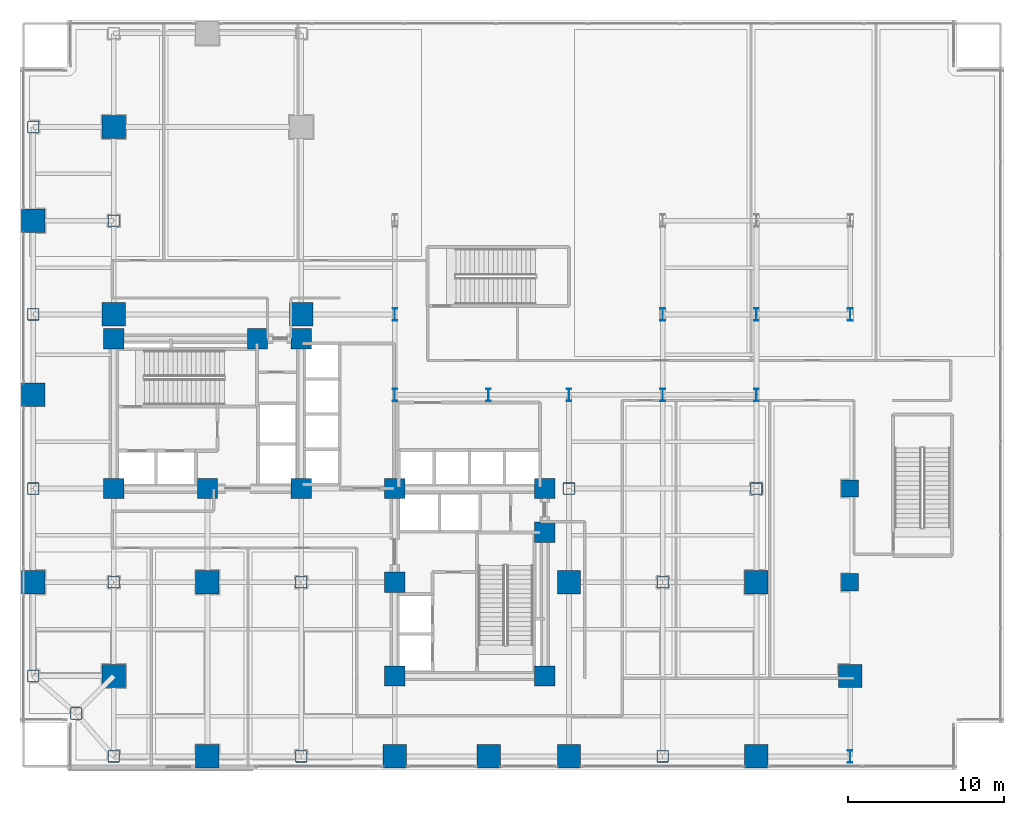
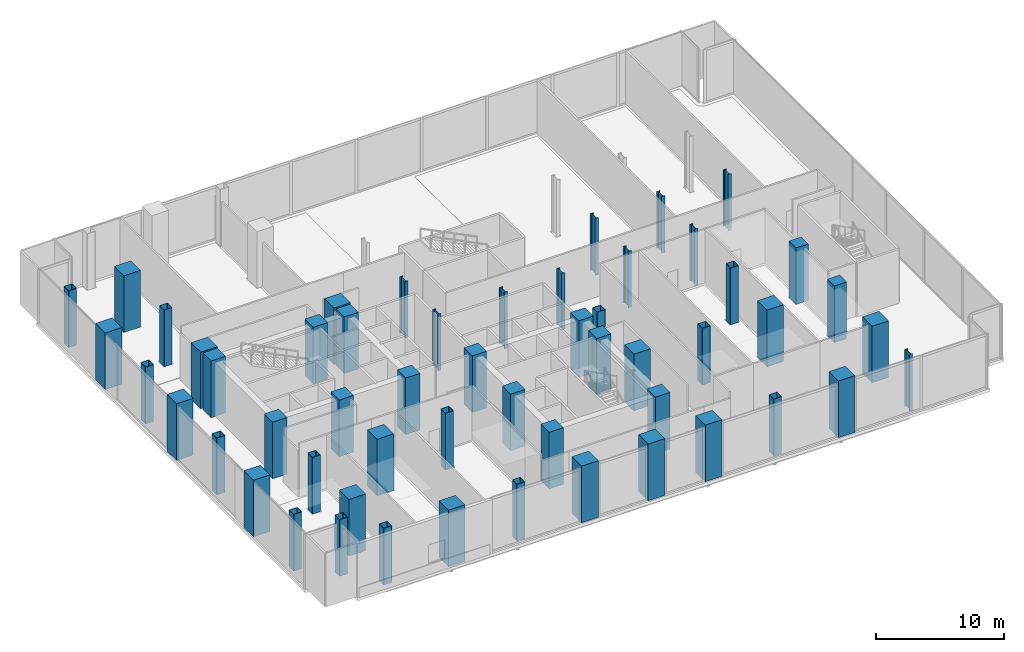
# One storey, part 1 of 27: 54 columns.
"""IFC4 building model written with IfcOpenShell, lengths in metres."""

from ifc_helpers import new_model, si_unit, direction, frame, origin, origin_2d, place, context, subcontext, project, spatial, rectangle, hollow_rectangle, i_section, extrude, material, material_profile, profile_set, type_object, element, save


model = new_model("IFC4")

# Units and contexts
model_context = context("Model", 3, precision=1e-05, world=origin(), true_north=direction((0.0, 1.0)))
body_context = subcontext(model_context, "Body", "Model", "MODEL_VIEW")
ifc_project = project(units=[si_unit("LENGTHUNIT", "METRE"), si_unit("AREAUNIT", "SQUARE_METRE"), si_unit("VOLUMEUNIT", "CUBIC_METRE"), si_unit("PLANEANGLEUNIT", "RADIAN"), si_unit("MASSUNIT", "GRAM", prefix="KILO"), si_unit("THERMODYNAMICTEMPERATUREUNIT", "KELVIN"), si_unit("POWERUNIT", "WATT")], contexts=[model_context])

# Site, building, storey
site_placement = place(None, origin())
site = spatial("IfcSite", under=ifc_project, at=site_placement, CompositionType="ELEMENT")
building_placement = place(site_placement, origin())
building = spatial("IfcBuilding", under=site, at=building_placement, Name="Svarakhadi Broadcast Tower", CompositionType="ELEMENT")
storey_placement = place(building_placement, frame((0.0, 0.0, 16.5)))
storey = spatial("IfcBuildingStorey", under=building, at=storey_placement, Name="L03", CompositionType="ELEMENT", Elevation=16.5)

# Columns
ifc_material_1 = material(Name="Steel S460ML (IS 2062 E450BR)", Category="steel")
ifc_material_profile_1 = material_profile(ifc_material_1, hollow_rectangle(XDim=0.75, YDim=0.75, WallThickness=0.034912109375, InnerFilletRadius=0.034912109375, OuterFilletRadius=0.050048828125, at=origin_2d()), Name="BOX 750x750x35")
ifc_profile_set_1 = profile_set([ifc_material_profile_1], Name="Steel S460ML (IS 2062 E450BR)")
column_type_1 = type_object("IfcColumnType", Name="Col_BOX750", PredefinedType="COLUMN", material=ifc_profile_set_1)
for number, where, z_axis, x_axis, name in (
    (1, (3.60009765625, 3.60009765625, 0.0), (0.0, 0.0, 1.0), (1.0, 0.0, 0.0), "L03 Column G01"),
    (2, (0.85009765625, 6.0, 0.0), (0.0, 0.0, 1.0), (1.0, 0.0, 0.0), "L03 Column G03"),
    (3, (0.85009765625, 18.0, 0.0), (0.0, 0.0, 1.0), (1.0, 0.0, 0.0), "L03 Column G05"),
    (4, (0.85009765625, 29.14990234375, 0.0), (0.0, 0.0, 1.0), (1.0, 0.0, 0.0), "L03 Column G07"),
    (5, (0.85009765625, 41.14990234375, 0.0), (0.0, 0.0, 1.0), (1.0, 0.0, 0.0), "L03 Column G09"),
    (6, (6.0, 0.85009765625, 0.0), (0.0, 0.0, 1.0), (1.0, 0.0, 0.0), "L03 Column G11"),
    (7, (6.0, 12.0, 0.0), (0.0, 0.0, 1.0), (1.0, 0.0, 0.0), "L03 Column G13"),
    (8, (6.0, 35.14990234375, 0.0), (0.0, 0.0, 1.0), (1.0, 0.0, 0.0), "L03 Column G15"),
    (9, (18.0, 0.85009765625, 0.0), (0.0, 0.0, 1.0), (1.0, 0.0, 0.0), "L03 Column G25"),
    (10, (18.0, 12.0, 0.0), (0.0, 0.0, 1.0), (1.0, 0.0, 0.0), "L03 Column G27"),
    (11, (35.14990234375, 18.0, 0.0), (0.0, 0.0, 1.0), (1.0, 0.0, 0.0), "L03 Column G41"),
    (12, (41.14990234375, 0.85009765625, 0.0), (0.0, 0.0, 1.0), (1.0, 0.0, 0.0), "L03 Column G43"),
    (13, (41.14990234375, 12.0, 0.0), (0.0, 0.0, 1.0), (1.0, 0.0, 0.0), "L03 Column G45"),
    (14, (47.14990234375, 18.0, 0.0), (0.0, 0.0, 1.0), (1.0, 0.0, 0.0), "L03 Column G53"),
):
    element("IfcColumn", number, at=place(storey_placement, frame(where, z_axis=z_axis, x_axis=x_axis)), inside=storey, type_object=column_type_1, Name=name, PredefinedType="COLUMN", context=body_context, shape_type="SweptSolid", body=[
        extrude(hollow_rectangle(XDim=0.75, YDim=0.75, WallThickness=0.034912109375, InnerFilletRadius=0.034912109375, OuterFilletRadius=0.050048828125, at=origin_2d()), origin(), (0.0, 0.0, 1.0), 5.39990234375),
    ])
ifc_material_2 = material(Name="Concrete C50/60 (IS 456 M60)", Category="concrete")
ifc_material_profile_2 = material_profile(ifc_material_2, rectangle(XDim=1.10009765625, YDim=1.10009765625, at=origin_2d()), Name="RC 1100x1100")
ifc_profile_set_2 = profile_set([ifc_material_profile_2], Name="Concrete C50/60 (IS 456 M60)")
column_type_2 = type_object("IfcColumnType", Name="Col_RC1100", PredefinedType="COLUMN", material=ifc_profile_set_2)
for number, where, z_axis, x_axis, name in (
    (15, (53.14990234375, 12.0, 0.0), (0.0, 0.0, 1.0), (1.0, 0.0, 0.0), "L03 Zone-1 East Stack Column ZT02"),
    (16, (53.14990234375, 18.0, 0.0), (0.0, 0.0, 1.0), (1.0, 0.0, 0.0), "L03 Zone-1 East Stack Column ZT03"),
):
    element("IfcColumn", number, at=place(storey_placement, frame(where, z_axis=z_axis, x_axis=x_axis)), inside=storey, type_object=column_type_2, Name=name, PredefinedType="COLUMN", context=body_context, shape_type="SweptSolid", body=[
        extrude(rectangle(XDim=1.10009765625, YDim=1.10009765625, at=origin_2d()), origin(), (0.0, 0.0, 1.0), 5.39990234375),
    ])
ifc_material_3 = material(Name="Concrete C60/75 (IS 456 M70)", Category="concrete")
ifc_material_profile_3 = material_profile(ifc_material_3, rectangle(XDim=1.300048828125, YDim=1.300048828125, at=origin_2d()), Name="RC 1300x1300")
ifc_profile_set_3 = profile_set([ifc_material_profile_3], Name="Concrete C60/75 (IS 456 M70)")
column_type_3 = type_object("IfcColumnType", Name="Col_RC1300", PredefinedType="COLUMN", material=ifc_profile_set_3)
for number, where, z_axis, x_axis, name in (
    (17, (6.0, 18.0, 0.0), (0.0, 0.0, 1.0), (1.0, 0.0, 0.0), "L03 Column CW1"),
    (18, (12.0, 18.0, 0.0), (0.0, 0.0, 1.0), (1.0, 0.0, 0.0), "L03 Column CW2"),
    (19, (18.0, 18.0, 0.0), (0.0, 0.0, 1.0), (1.0, 0.0, 0.0), "L03 Column CW3"),
    (20, (6.0, 27.60009765625, 0.0), (0.0, 0.0, 1.0), (1.0, 0.0, 0.0), "L03 Column CW4"),
    (21, (15.199951171875, 27.60009765625, 0.0), (0.0, 0.0, 1.0), (1.0, 0.0, 0.0), "L03 Column CW5"),
    (22, (18.0, 27.60009765625, 0.0), (0.0, 0.0, 1.0), (1.0, 0.0, 0.0), "L03 Column CW6"),
    (23, (24.0, 6.0, 0.0), (0.0, 0.0, 1.0), (1.0, 0.0, 0.0), "L03 Column CE1"),
    (24, (24.0, 12.0, 0.0), (0.0, 0.0, 1.0), (1.0, 0.0, 0.0), "L03 Column CE2"),
    (25, (24.0, 18.0, 0.0), (0.0, 0.0, 1.0), (1.0, 0.0, 0.0), "L03 Column CE3"),
    (26, (33.60009765625, 6.0, 0.0), (0.0, 0.0, 1.0), (1.0, 0.0, 0.0), "L03 Column CE4"),
    (27, (33.60009765625, 15.199951171875, 0.0), (0.0, 0.0, 1.0), (1.0, 0.0, 0.0), "L03 Column CE5"),
    (28, (33.60009765625, 18.0, 0.0), (0.0, 0.0, 1.0), (1.0, 0.0, 0.0), "L03 Column CE6"),
):
    element("IfcColumn", number, at=place(storey_placement, frame(where, z_axis=z_axis, x_axis=x_axis)), inside=storey, type_object=column_type_3, Name=name, PredefinedType="COLUMN", context=body_context, shape_type="SweptSolid", body=[
        extrude(rectangle(XDim=1.300048828125, YDim=1.300048828125, at=origin_2d()), origin(), (0.0, 0.0, 1.0), 5.39990234375),
    ])
ifc_material_profile_4 = material_profile(ifc_material_3, rectangle(XDim=1.5, YDim=1.5, at=origin_2d()), Name="RC 1500x1500")
ifc_profile_set_4 = profile_set([ifc_material_profile_4], Name="Concrete C60/75 (IS 456 M70)")
column_type_4 = type_object("IfcColumnType", Name="Col_RC1500", PredefinedType="COLUMN", material=ifc_profile_set_4)
for number, where, z_axis, x_axis, name in (
    (29, (0.85009765625, 12.0, 0.0), (0.0, 0.0, 1.0), (1.0, 0.0, 0.0), "L03 Column G04"),
    (30, (0.85009765625, 24.0, 0.0), (0.0, 0.0, 1.0), (1.0, 0.0, 0.0), "L03 Column G06"),
    (31, (0.85009765625, 35.14990234375, 0.0), (0.0, 0.0, 1.0), (1.0, 0.0, 0.0), "L03 Column G08"),
    (32, (6.0, 6.0, 0.0), (0.0, 0.0, 1.0), (1.0, 0.0, 0.0), "L03 Column G12"),
    (33, (6.0, 29.14990234375, 0.0), (0.0, 0.0, 1.0), (1.0, 0.0, 0.0), "L03 Column G14"),
    (34, (6.0, 41.14990234375, 0.0), (0.0, 0.0, 1.0), (1.0, 0.0, 0.0), "L03 Column G16"),
    (35, (12.0, 0.85009765625, 0.0), (0.0, 0.0, 1.0), (1.0, 0.0, 0.0), "L03 Column G18"),
    (36, (12.0, 12.0, 0.0), (0.0, 0.0, 1.0), (1.0, 0.0, 0.0), "L03 Column G20"),
    (37, (18.0, 29.14990234375, 0.0), (0.0, 0.0, 1.0), (1.0, 0.0, 0.0), "L03 Column G28"),
    (38, (24.0, 0.85009765625, 0.0), (0.0, 0.0, 1.0), (1.0, 0.0, 0.0), "L03 Column G32"),
    (39, (30.0, 0.85009765625, 0.0), (0.0, 0.0, 1.0), (1.0, 0.0, 0.0), "L03 Column G36"),
    (40, (35.14990234375, 0.85009765625, 0.0), (0.0, 0.0, 1.0), (1.0, 0.0, 0.0), "L03 Column G38"),
    (41, (35.14990234375, 12.0, 0.0), (0.0, 0.0, 1.0), (1.0, 0.0, 0.0), "L03 Column G40"),
    (42, (47.14990234375, 0.85009765625, 0.0), (0.0, 0.0, 1.0), (1.0, 0.0, 0.0), "L03 Column G50"),
    (43, (47.14990234375, 12.0, 0.0), (0.0, 0.0, 1.0), (1.0, 0.0, 0.0), "L03 Column G52"),
    (44, (53.14990234375, 6.0, 0.0), (0.0, 0.0, 1.0), (1.0, 0.0, 0.0), "L03 Column G58"),
):
    element("IfcColumn", number, at=place(storey_placement, frame(where, z_axis=z_axis, x_axis=x_axis)), inside=storey, type_object=column_type_4, Name=name, PredefinedType="COLUMN", context=body_context, shape_type="SweptSolid", body=[
        extrude(rectangle(XDim=1.5, YDim=1.5, at=origin_2d()), origin(), (0.0, 0.0, 1.0), 5.39990234375),
    ])
ifc_material_profile_5 = material_profile(ifc_material_1, i_section(OverallWidth=0.300048828125, OverallDepth=0.800048828125, WebThickness=0.017578125, FlangeThickness=0.032958984375, FilletRadius=0.030029296875, at=origin_2d()), Name="WPB 800x300x262")
ifc_profile_set_5 = profile_set([ifc_material_profile_5], Name="Steel S460ML (IS 2062 E450BR)")
column_type_5 = type_object("IfcColumnType", Name="Col_WPB800", PredefinedType="COLUMN", material=ifc_profile_set_5)
for number, where, z_axis, x_axis, name in (
    (45, (24.0, 24.0, 0.0), (0.0, 0.0, 1.0), (1.0, 0.0, 0.0), "L03 Column G33"),
    (46, (24.0, 29.14990234375, 0.0), (0.0, 0.0, 1.0), (1.0, 0.0, 0.0), "L03 Column G34"),
    (47, (30.0, 24.0, 0.0), (0.0, 0.0, 1.0), (1.0, 0.0, 0.0), "L03 Column G37"),
    (48, (35.14990234375, 24.0, 0.0), (0.0, 0.0, 1.0), (1.0, 0.0, 0.0), "L03 Column G42"),
    (49, (41.14990234375, 24.0, 0.0), (0.0, 0.0, 1.0), (1.0, 0.0, 0.0), "L03 Column G47"),
    (50, (41.14990234375, 29.14990234375, 0.0), (0.0, 0.0, 1.0), (1.0, 0.0, 0.0), "L03 Column G48"),
    (51, (47.14990234375, 24.0, 0.0), (0.0, 0.0, 1.0), (1.0, 0.0, 0.0), "L03 Column G54"),
    (52, (47.14990234375, 29.14990234375, 0.0), (0.0, 0.0, 1.0), (1.0, 0.0, 0.0), "L03 Column G55"),
    (53, (53.14990234375, 0.85009765625, 0.0), (0.0, 0.0, 1.0), (1.0, 0.0, 0.0), "L03 Column G57"),
    (54, (53.14990234375, 29.14990234375, 0.0), (0.0, 0.0, 1.0), (1.0, 0.0, 0.0), "L03 Column G59"),
):
    element("IfcColumn", number, at=place(storey_placement, frame(where, z_axis=z_axis, x_axis=x_axis)), inside=storey, type_object=column_type_5, Name=name, PredefinedType="COLUMN", context=body_context, shape_type="SweptSolid", body=[
        extrude(i_section(OverallWidth=0.300048828125, OverallDepth=0.800048828125, WebThickness=0.017578125, FlangeThickness=0.032958984375, FilletRadius=0.030029296875, at=origin_2d()), origin(), (0.0, 0.0, 1.0), 5.39990234375),
    ])

save(model, "model.ifc")
